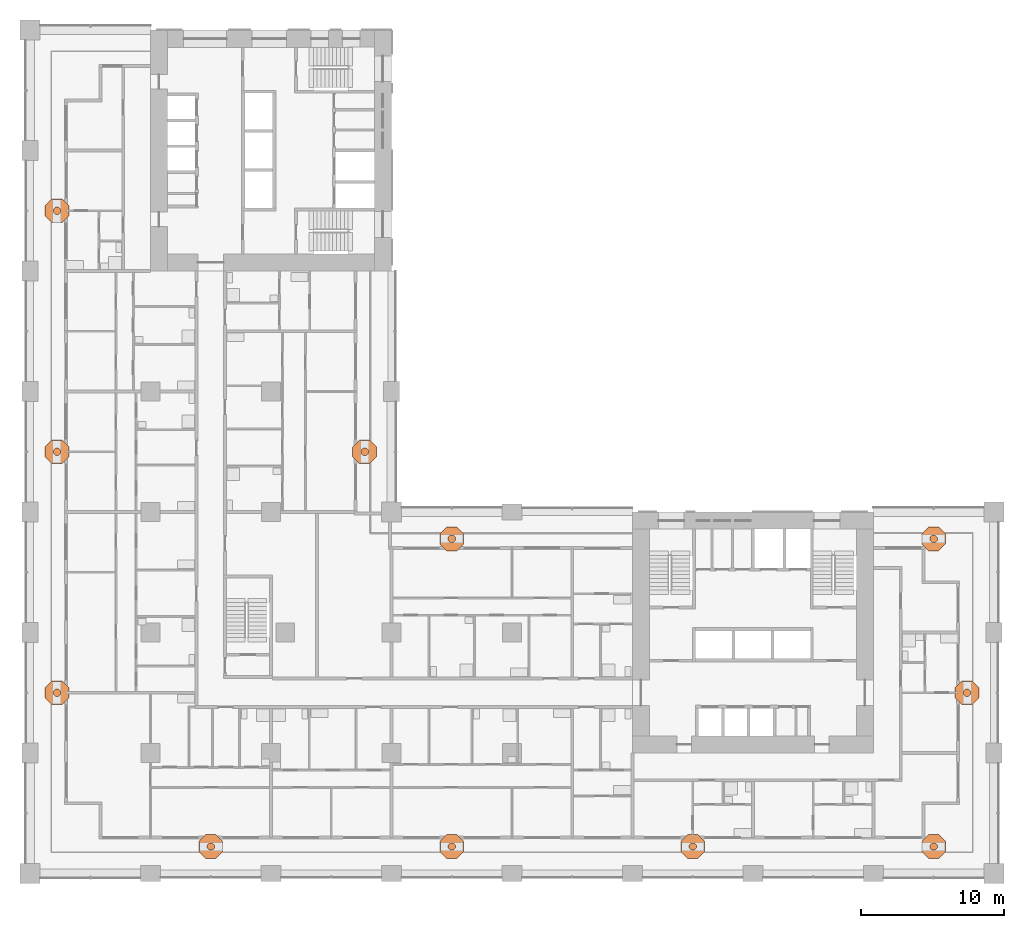
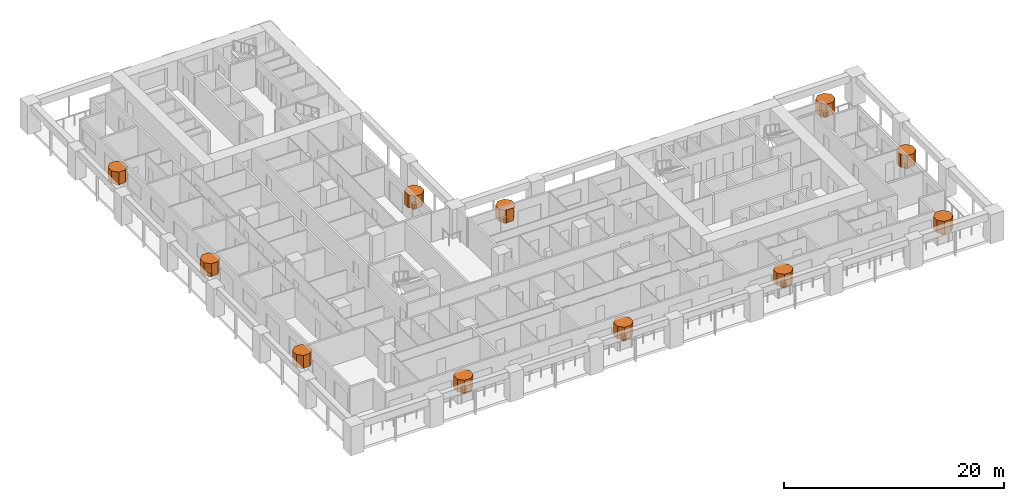
# One storey, part 22 of 22: 22 geographic elements.
"""IFC4 building model written with IfcOpenShell, lengths in metres."""

from ifc_helpers import new_model, si_unit, direction, frame, origin, place, context, subcontext, project, spatial, polyline, outline, extrude, material, element, save


model = new_model("IFC4")

# Units and contexts
model_context = context("Model", 3, precision=1e-05, world=origin(), true_north=direction((0.0, 1.0)))
body_context = subcontext(model_context, "Body", "Model", "MODEL_VIEW")
ifc_project = project(units=[si_unit("LENGTHUNIT", "METRE"), si_unit("AREAUNIT", "SQUARE_METRE"), si_unit("VOLUMEUNIT", "CUBIC_METRE"), si_unit("PLANEANGLEUNIT", "RADIAN"), si_unit("MASSUNIT", "GRAM", prefix="KILO")], contexts=[model_context])

# Site, building, storey
site_placement = place(None, origin())
site = spatial("IfcSite", under=ifc_project, at=site_placement, CompositionType="ELEMENT")
building_placement = place(site_placement, origin())
building = spatial("IfcBuilding", under=site, at=building_placement, Name="Vermilion Gate Residences", CompositionType="ELEMENT")
storey_placement = place(building_placement, frame((0.0, 0.0, 56.699951171875)))
storey = spatial("IfcBuildingStorey", under=building, at=storey_placement, Name="L13", CompositionType="ELEMENT", Elevation=56.699951171875)

# Geographic elements
ifc_material = material(Name="Foliage")
geographic_element_1_placement = place(storey_placement, frame((0.0, 0.0, 0.900146484375)))
element("IfcGeographicElement", 1, at=geographic_element_1_placement, inside=storey, material=ifc_material, Name="Tree (black pine)", ObjectType="TREE", PredefinedType="USERDEFINED", context=body_context, shape_type="SweptSolid", body=[
    extrude(outline(polyline([(12.85400390625, 1.980224609375), (12.705078125, 2.129150390625), (12.494873046875, 2.129150390625), (12.345947265625, 1.980224609375), (12.345947265625, 1.769775390625), (12.494873046875, 1.620849609375), (12.705078125, 1.620849609375), (12.85400390625, 1.769775390625), (12.85400390625, 1.980224609375)])), origin(), (0.0, 0.0, 1.0), 0.52001953125),
])
geographic_element_2_placement = place(storey_placement, frame((0.0, 0.0, 1.420166015625)))
element("IfcGeographicElement", 2, at=geographic_element_2_placement, inside=storey, material=ifc_material, Name="Tree crown (black pine)", ObjectType="TREE", PredefinedType="USERDEFINED", context=body_context, shape_type="SweptSolid", body=[
    extrude(outline(polyline([(13.431396484375, 2.219482421875), (12.9443359375, 2.70654296875), (12.255615234375, 2.70654296875), (11.7685546875, 2.219482421875), (11.7685546875, 1.530517578125), (12.255615234375, 1.04345703125), (12.9443359375, 1.04345703125), (13.431396484375, 1.530517578125), (13.431396484375, 2.219482421875)])), origin(), (0.0, 0.0, 1.0), 1.39990234375),
])
geographic_element_3_placement = place(storey_placement, frame((0.0, 0.0, 0.900146484375)))
element("IfcGeographicElement", 3, at=geographic_element_3_placement, inside=storey, material=ifc_material, Name="Tree (maple)", ObjectType="TREE", PredefinedType="USERDEFINED", context=body_context, shape_type="SweptSolid", body=[
    extrude(outline(polyline([(29.654052734375, 1.980224609375), (29.505126953125, 2.129150390625), (29.294921875, 2.129150390625), (29.14599609375, 1.980224609375), (29.14599609375, 1.769775390625), (29.294921875, 1.620849609375), (29.505126953125, 1.620849609375), (29.654052734375, 1.769775390625), (29.654052734375, 1.980224609375)])), origin(), (0.0, 0.0, 1.0), 0.52001953125),
])
geographic_element_4_placement = place(storey_placement, frame((0.0, 0.0, 1.420166015625)))
element("IfcGeographicElement", 4, at=geographic_element_4_placement, inside=storey, material=ifc_material, Name="Tree crown (maple)", ObjectType="TREE", PredefinedType="USERDEFINED", context=body_context, shape_type="SweptSolid", body=[
    extrude(outline(polyline([(30.2314453125, 2.219482421875), (29.744384765625, 2.70654296875), (29.0556640625, 2.70654296875), (28.568603515625, 2.219482421875), (28.568603515625, 1.530517578125), (29.0556640625, 1.04345703125), (29.744384765625, 1.04345703125), (30.2314453125, 1.530517578125), (30.2314453125, 2.219482421875)])), origin(), (0.0, 0.0, 1.0), 1.39990234375),
])
geographic_element_5_placement = place(storey_placement, frame((0.0, 0.0, 0.900146484375)))
element("IfcGeographicElement", 5, at=geographic_element_5_placement, inside=storey, material=ifc_material, Name="Tree (black pine)", ObjectType="TREE", PredefinedType="USERDEFINED", context=body_context, shape_type="SweptSolid", body=[
    extrude(outline(polyline([(46.4541015625, 1.980224609375), (46.30517578125, 2.129150390625), (46.0947265625, 2.129150390625), (45.94580078125, 1.980224609375), (45.94580078125, 1.769775390625), (46.0947265625, 1.620849609375), (46.30517578125, 1.620849609375), (46.4541015625, 1.769775390625), (46.4541015625, 1.980224609375)])), origin(), (0.0, 0.0, 1.0), 0.52001953125),
])
geographic_element_6_placement = place(storey_placement, frame((0.0, 0.0, 1.420166015625)))
element("IfcGeographicElement", 6, at=geographic_element_6_placement, inside=storey, material=ifc_material, Name="Tree crown (black pine)", ObjectType="TREE", PredefinedType="USERDEFINED", context=body_context, shape_type="SweptSolid", body=[
    extrude(outline(polyline([(47.031494140625, 2.219482421875), (46.54443359375, 2.70654296875), (45.855712890625, 2.70654296875), (45.368408203125, 2.219482421875), (45.368408203125, 1.530517578125), (45.855712890625, 1.04345703125), (46.54443359375, 1.04345703125), (47.031494140625, 1.530517578125), (47.031494140625, 2.219482421875)])), origin(), (0.0, 0.0, 1.0), 1.39990234375),
])
geographic_element_7_placement = place(storey_placement, frame((0.0, 0.0, 0.900146484375)))
element("IfcGeographicElement", 7, at=geographic_element_7_placement, inside=storey, material=ifc_material, Name="Tree (maple)", ObjectType="TREE", PredefinedType="USERDEFINED", context=body_context, shape_type="SweptSolid", body=[
    extrude(outline(polyline([(63.254150390625, 1.980224609375), (63.105224609375, 2.129150390625), (62.894775390625, 2.129150390625), (62.745849609375, 1.980224609375), (62.745849609375, 1.769775390625), (62.894775390625, 1.620849609375), (63.105224609375, 1.620849609375), (63.254150390625, 1.769775390625), (63.254150390625, 1.980224609375)])), origin(), (0.0, 0.0, 1.0), 0.52001953125),
])
geographic_element_8_placement = place(storey_placement, frame((0.0, 0.0, 1.420166015625)))
element("IfcGeographicElement", 8, at=geographic_element_8_placement, inside=storey, material=ifc_material, Name="Tree crown (maple)", ObjectType="TREE", PredefinedType="USERDEFINED", context=body_context, shape_type="SweptSolid", body=[
    extrude(outline(polyline([(63.83154296875, 2.219482421875), (63.344482421875, 2.70654296875), (62.655517578125, 2.70654296875), (62.16845703125, 2.219482421875), (62.16845703125, 1.530517578125), (62.655517578125, 1.04345703125), (63.344482421875, 1.04345703125), (63.83154296875, 1.530517578125), (63.83154296875, 2.219482421875)])), origin(), (0.0, 0.0, 1.0), 1.39990234375),
])
geographic_element_9_placement = place(storey_placement, frame((0.0, 0.0, 0.900146484375)))
element("IfcGeographicElement", 9, at=geographic_element_9_placement, inside=storey, material=ifc_material, Name="Tree (black pine)", ObjectType="TREE", PredefinedType="USERDEFINED", context=body_context, shape_type="SweptSolid", body=[
    extrude(outline(polyline([(65.5791015625, 12.705078125), (65.43017578125, 12.85400390625), (65.2197265625, 12.85400390625), (65.07080078125, 12.705078125), (65.07080078125, 12.494873046875), (65.2197265625, 12.345947265625), (65.43017578125, 12.345947265625), (65.5791015625, 12.494873046875), (65.5791015625, 12.705078125)])), origin(), (0.0, 0.0, 1.0), 0.52001953125),
])
geographic_element_10_placement = place(storey_placement, frame((0.0, 0.0, 1.420166015625)))
element("IfcGeographicElement", 10, at=geographic_element_10_placement, inside=storey, material=ifc_material, Name="Tree crown (black pine)", ObjectType="TREE", PredefinedType="USERDEFINED", context=body_context, shape_type="SweptSolid", body=[
    extrude(outline(polyline([(66.156494140625, 12.9443359375), (65.66943359375, 13.431396484375), (64.980712890625, 13.431396484375), (64.493408203125, 12.9443359375), (64.493408203125, 12.255615234375), (64.980712890625, 11.7685546875), (65.66943359375, 11.7685546875), (66.156494140625, 12.255615234375), (66.156494140625, 12.9443359375)])), origin(), (0.0, 0.0, 1.0), 1.39990234375),
])
geographic_element_11_placement = place(storey_placement, frame((0.0, 0.0, 0.900146484375)))
element("IfcGeographicElement", 11, at=geographic_element_11_placement, inside=storey, material=ifc_material, Name="Tree (maple)", ObjectType="TREE", PredefinedType="USERDEFINED", context=body_context, shape_type="SweptSolid", body=[
    extrude(outline(polyline([(29.654052734375, 23.43017578125), (29.505126953125, 23.5791015625), (29.294921875, 23.5791015625), (29.14599609375, 23.43017578125), (29.14599609375, 23.2197265625), (29.294921875, 23.07080078125), (29.505126953125, 23.07080078125), (29.654052734375, 23.2197265625), (29.654052734375, 23.43017578125)])), origin(), (0.0, 0.0, 1.0), 0.52001953125),
])
geographic_element_12_placement = place(storey_placement, frame((0.0, 0.0, 1.420166015625)))
element("IfcGeographicElement", 12, at=geographic_element_12_placement, inside=storey, material=ifc_material, Name="Tree crown (maple)", ObjectType="TREE", PredefinedType="USERDEFINED", context=body_context, shape_type="SweptSolid", body=[
    extrude(outline(polyline([(30.2314453125, 23.66943359375), (29.744384765625, 24.156494140625), (29.0556640625, 24.156494140625), (28.568603515625, 23.66943359375), (28.568603515625, 22.980712890625), (29.0556640625, 22.493408203125), (29.744384765625, 22.493408203125), (30.2314453125, 22.980712890625), (30.2314453125, 23.66943359375)])), origin(), (0.0, 0.0, 1.0), 1.39990234375),
])
geographic_element_13_placement = place(storey_placement, frame((0.0, 0.0, 0.900146484375)))
element("IfcGeographicElement", 13, at=geographic_element_13_placement, inside=storey, material=ifc_material, Name="Tree (maple)", ObjectType="TREE", PredefinedType="USERDEFINED", context=body_context, shape_type="SweptSolid", body=[
    extrude(outline(polyline([(63.254150390625, 23.43017578125), (63.105224609375, 23.5791015625), (62.894775390625, 23.5791015625), (62.745849609375, 23.43017578125), (62.745849609375, 23.2197265625), (62.894775390625, 23.07080078125), (63.105224609375, 23.07080078125), (63.254150390625, 23.2197265625), (63.254150390625, 23.43017578125)])), origin(), (0.0, 0.0, 1.0), 0.52001953125),
])
geographic_element_14_placement = place(storey_placement, frame((0.0, 0.0, 1.420166015625)))
element("IfcGeographicElement", 14, at=geographic_element_14_placement, inside=storey, material=ifc_material, Name="Tree crown (maple)", ObjectType="TREE", PredefinedType="USERDEFINED", context=body_context, shape_type="SweptSolid", body=[
    extrude(outline(polyline([(63.83154296875, 23.66943359375), (63.344482421875, 24.156494140625), (62.655517578125, 24.156494140625), (62.16845703125, 23.66943359375), (62.16845703125, 22.980712890625), (62.655517578125, 22.493408203125), (63.344482421875, 22.493408203125), (63.83154296875, 22.980712890625), (63.83154296875, 23.66943359375)])), origin(), (0.0, 0.0, 1.0), 1.39990234375),
])
geographic_element_15_placement = place(storey_placement, frame((0.0, 0.0, 0.900146484375)))
element("IfcGeographicElement", 15, at=geographic_element_15_placement, inside=storey, material=ifc_material, Name="Tree (maple)", ObjectType="TREE", PredefinedType="USERDEFINED", context=body_context, shape_type="SweptSolid", body=[
    extrude(outline(polyline([(23.5791015625, 29.505126953125), (23.43017578125, 29.654052734375), (23.2197265625, 29.654052734375), (23.07080078125, 29.505126953125), (23.07080078125, 29.294921875), (23.2197265625, 29.14599609375), (23.43017578125, 29.14599609375), (23.5791015625, 29.294921875), (23.5791015625, 29.505126953125)])), origin(), (0.0, 0.0, 1.0), 0.52001953125),
])
geographic_element_16_placement = place(storey_placement, frame((0.0, 0.0, 1.420166015625)))
element("IfcGeographicElement", 16, at=geographic_element_16_placement, inside=storey, material=ifc_material, Name="Tree crown (maple)", ObjectType="TREE", PredefinedType="USERDEFINED", context=body_context, shape_type="SweptSolid", body=[
    extrude(outline(polyline([(24.156494140625, 29.744384765625), (23.66943359375, 30.2314453125), (22.980712890625, 30.2314453125), (22.493408203125, 29.744384765625), (22.493408203125, 29.0556640625), (22.980712890625, 28.568603515625), (23.66943359375, 28.568603515625), (24.156494140625, 29.0556640625), (24.156494140625, 29.744384765625)])), origin(), (0.0, 0.0, 1.0), 1.39990234375),
])
geographic_element_17_placement = place(storey_placement, frame((0.0, 0.0, 0.900146484375)))
element("IfcGeographicElement", 17, at=geographic_element_17_placement, inside=storey, material=ifc_material, Name="Tree (black pine)", ObjectType="TREE", PredefinedType="USERDEFINED", context=body_context, shape_type="SweptSolid", body=[
    extrude(outline(polyline([(2.129150390625, 12.705078125), (1.980224609375, 12.85400390625), (1.769775390625, 12.85400390625), (1.620849609375, 12.705078125), (1.620849609375, 12.494873046875), (1.769775390625, 12.345947265625), (1.980224609375, 12.345947265625), (2.129150390625, 12.494873046875), (2.129150390625, 12.705078125)])), origin(), (0.0, 0.0, 1.0), 0.52001953125),
])
geographic_element_18_placement = place(storey_placement, frame((0.0, 0.0, 1.420166015625)))
element("IfcGeographicElement", 18, at=geographic_element_18_placement, inside=storey, material=ifc_material, Name="Tree crown (black pine)", ObjectType="TREE", PredefinedType="USERDEFINED", context=body_context, shape_type="SweptSolid", body=[
    extrude(outline(polyline([(2.70654296875, 12.9443359375), (2.219482421875, 13.431396484375), (1.530517578125, 13.431396484375), (1.04345703125, 12.9443359375), (1.04345703125, 12.255615234375), (1.530517578125, 11.7685546875), (2.219482421875, 11.7685546875), (2.70654296875, 12.255615234375), (2.70654296875, 12.9443359375)])), origin(), (0.0, 0.0, 1.0), 1.39990234375),
])
geographic_element_19_placement = place(storey_placement, frame((0.0, 0.0, 0.900146484375)))
element("IfcGeographicElement", 19, at=geographic_element_19_placement, inside=storey, material=ifc_material, Name="Tree (maple)", ObjectType="TREE", PredefinedType="USERDEFINED", context=body_context, shape_type="SweptSolid", body=[
    extrude(outline(polyline([(2.129150390625, 29.505126953125), (1.980224609375, 29.654052734375), (1.769775390625, 29.654052734375), (1.620849609375, 29.505126953125), (1.620849609375, 29.294921875), (1.769775390625, 29.14599609375), (1.980224609375, 29.14599609375), (2.129150390625, 29.294921875), (2.129150390625, 29.505126953125)])), origin(), (0.0, 0.0, 1.0), 0.52001953125),
])
geographic_element_20_placement = place(storey_placement, frame((0.0, 0.0, 1.420166015625)))
element("IfcGeographicElement", 20, at=geographic_element_20_placement, inside=storey, material=ifc_material, Name="Tree crown (maple)", ObjectType="TREE", PredefinedType="USERDEFINED", context=body_context, shape_type="SweptSolid", body=[
    extrude(outline(polyline([(2.70654296875, 29.744384765625), (2.219482421875, 30.2314453125), (1.530517578125, 30.2314453125), (1.04345703125, 29.744384765625), (1.04345703125, 29.0556640625), (1.530517578125, 28.568603515625), (2.219482421875, 28.568603515625), (2.70654296875, 29.0556640625), (2.70654296875, 29.744384765625)])), origin(), (0.0, 0.0, 1.0), 1.39990234375),
])
geographic_element_21_placement = place(storey_placement, frame((0.0, 0.0, 0.900146484375)))
element("IfcGeographicElement", 21, at=geographic_element_21_placement, inside=storey, material=ifc_material, Name="Tree (black pine)", ObjectType="TREE", PredefinedType="USERDEFINED", context=body_context, shape_type="SweptSolid", body=[
    extrude(outline(polyline([(2.129150390625, 46.30517578125), (1.980224609375, 46.4541015625), (1.769775390625, 46.4541015625), (1.620849609375, 46.30517578125), (1.620849609375, 46.0947265625), (1.769775390625, 45.94580078125), (1.980224609375, 45.94580078125), (2.129150390625, 46.0947265625), (2.129150390625, 46.30517578125)])), origin(), (0.0, 0.0, 1.0), 0.52001953125),
])
geographic_element_22_placement = place(storey_placement, frame((0.0, 0.0, 1.420166015625)))
element("IfcGeographicElement", 22, at=geographic_element_22_placement, inside=storey, material=ifc_material, Name="Tree crown (black pine)", ObjectType="TREE", PredefinedType="USERDEFINED", context=body_context, shape_type="SweptSolid", body=[
    extrude(outline(polyline([(2.70654296875, 46.54443359375), (2.219482421875, 47.031494140625), (1.530517578125, 47.031494140625), (1.04345703125, 46.54443359375), (1.04345703125, 45.855712890625), (1.530517578125, 45.368408203125), (2.219482421875, 45.368408203125), (2.70654296875, 45.855712890625), (2.70654296875, 46.54443359375)])), origin(), (0.0, 0.0, 1.0), 1.39990234375),
])

save(model, "model.ifc")
